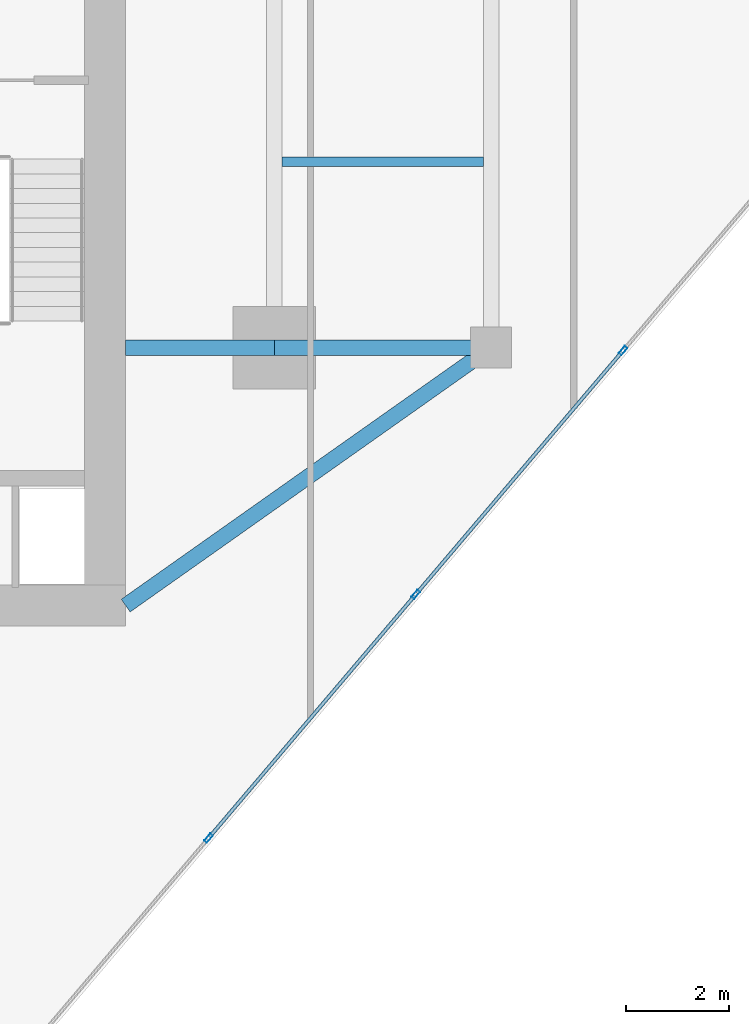
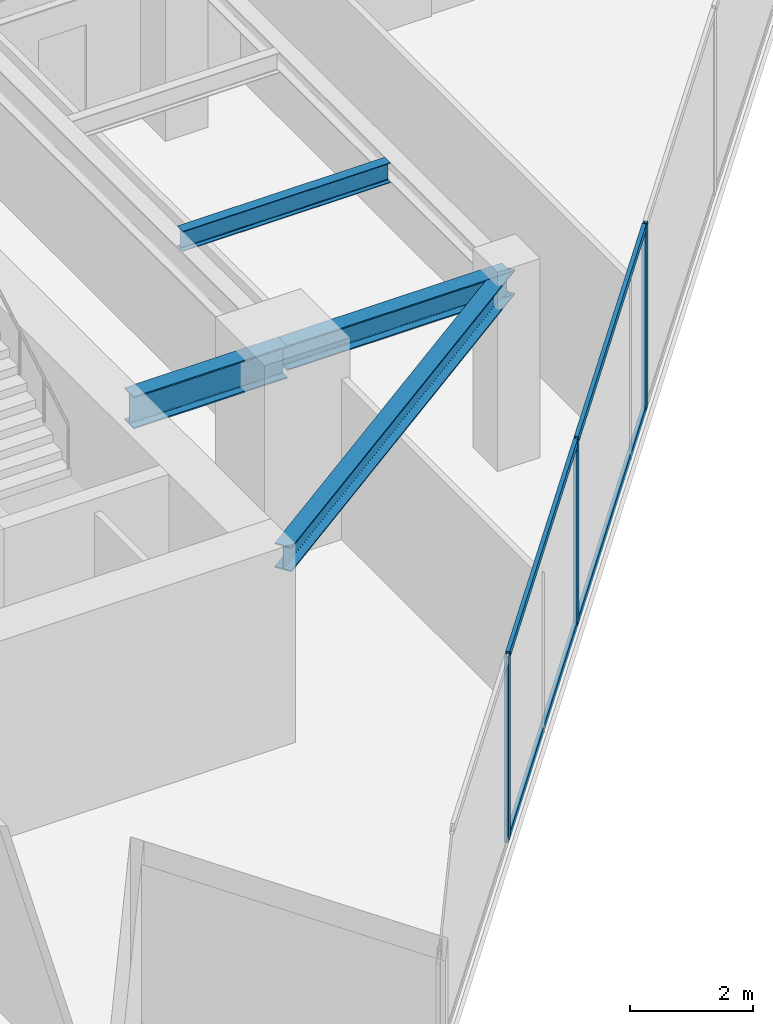
# One storey, part 10 of 26: 7 members, 4 beams, 1 element without a shape of its own.
"""IFC4 building model written with IfcOpenShell, lengths in metres."""

from ifc_helpers import new_model, si_unit, direction, frame, origin, origin_2d, place, context, subcontext, project, spatial, hollow_rectangle, i_section, extrude, source, transform, mapped, material, material_profile, profile_set, type_object, type_shapes, element, aggregate, save


model = new_model("IFC4")

# Units and contexts
model_context = context("Model", 3, precision=1e-05, world=origin(), true_north=direction((0.0, 1.0)))
body_context = subcontext(model_context, "Body", "Model", "MODEL_VIEW")
ifc_project = project(units=[si_unit("LENGTHUNIT", "METRE"), si_unit("AREAUNIT", "SQUARE_METRE"), si_unit("VOLUMEUNIT", "CUBIC_METRE"), si_unit("PLANEANGLEUNIT", "RADIAN"), si_unit("MASSUNIT", "GRAM", prefix="KILO")], contexts=[model_context])

# Site, building, storey
site_placement = place(None, origin())
site = spatial("IfcSite", under=ifc_project, at=site_placement, CompositionType="ELEMENT")
building_placement = place(site_placement, origin())
building = spatial("IfcBuilding", under=site, at=building_placement, Name="Krantzveldt Concourse Tower", CompositionType="ELEMENT")
storey_placement = place(building_placement, frame((0.0, 0.0, 207.300048828125)))
storey = spatial("IfcBuildingStorey", under=building, at=storey_placement, Name="L50", CompositionType="ELEMENT", Elevation=207.300048828125)

# Beams
ifc_material_1 = material(Name="Steel S355JR", Category="steel")
ifc_material_profile_1 = material_profile(ifc_material_1, i_section(OverallWidth=0.300048828125, OverallDepth=0.639892578125, WebThickness=0.013427734375, FlangeThickness=0.02587890625, FilletRadius=0.027099609375, at=origin_2d()), Name="Steel S355JR", Category="steel")
ifc_profile_set_1 = profile_set([ifc_material_profile_1], Name="Steel S355JR - HEA 650")
beam_type_1 = type_object("IfcBeamType", Name="BM-B-HEA650", PredefinedType="BEAM", material=ifc_profile_set_1)
shared_shape_1 = source(origin(), body_context, "Body", "SweptSolid", [
    extrude(i_section(OverallWidth=0.300048828125, OverallDepth=0.639892578125, WebThickness=0.013427734375, FlangeThickness=0.02587890625, FilletRadius=0.027099609375, at=origin_2d()), origin(), (0.0, 0.0, 1.0), 2.880126953125),
])
type_shapes(beam_type_1, [shared_shape_1])
beam_1_placement = place(storey_placement, frame((43.919921875, 15.89990234375, 3.349853515625), z_axis=(1.0, 0.0, 0.0), x_axis=(0.0, 1.0, 0.0)))
element("IfcBeam", 1, at=beam_1_placement, inside=storey, type_object=beam_type_1, Name="L50 Tower Girder BG-CE1", PredefinedType="BEAM", context=body_context, shape_type="MappedRepresentation", body=[
    mapped(shared_shape_1, transform((0.0, 0.0, 0.0), x_axis=(1.0, 0.0, 0.0), y_axis=(0.0, 1.0, 0.0), z_axis=(0.0, 0.0, 1.0), scale=1.0)),
])
ifc_material_profile_2 = material_profile(ifc_material_1, i_section(OverallWidth=0.300048828125, OverallDepth=0.489990234375, WebThickness=0.011962890625, FlangeThickness=0.02294921875, FilletRadius=0.027099609375, at=origin_2d()), Name="Steel S355JR", Category="steel")
ifc_profile_set_2 = profile_set([ifc_material_profile_2], Name="Steel S355JR - HEA 500")
beam_type_2 = type_object("IfcBeamType", Name="BM-B-HEA500", PredefinedType="BEAM", material=ifc_profile_set_2)
shared_shape_2 = source(origin(), body_context, "Body", "SweptSolid", [
    extrude(i_section(OverallWidth=0.300048828125, OverallDepth=0.489990234375, WebThickness=0.011962890625, FlangeThickness=0.02294921875, FilletRadius=0.027099609375, at=origin_2d()), origin(), (0.0, 0.0, 1.0), 4.199951171875),
])
beam_2_placement = place(storey_placement, frame((46.800048828125, 15.89990234375, 3.425048828125), z_axis=(1.0, 0.0, 0.0), x_axis=(0.0, 1.0, 0.0)))
element("IfcBeam", 2, at=beam_2_placement, inside=storey, type_object=beam_type_2, Name="L50 Tower Girder BR-RR1", PredefinedType="BEAM", context=body_context, shape_type="MappedRepresentation", body=[
    mapped(shared_shape_2, transform((0.0, 0.0, 0.0), x_axis=(1.0, 0.0, 0.0), y_axis=(0.0, 1.0, 0.0), z_axis=(0.0, 0.0, 1.0), scale=1.0)),
])
shared_shape_3 = source(origin(), body_context, "Body", "SweptSolid", [
    extrude(i_section(OverallWidth=0.300048828125, OverallDepth=0.489990234375, WebThickness=0.011962890625, FlangeThickness=0.02294921875, FilletRadius=0.027099609375, at=origin_2d()), origin(), (0.0, 0.0, 1.0), 8.667724609375),
])
type_shapes(beam_type_2, [shared_shape_2, shared_shape_3])
beam_3_placement = place(storey_placement, frame((51.0, 15.89990234375, 3.425048828125), z_axis=(-0.81684294656, -0.576860122261, 0.0), x_axis=(0.576860122261, -0.81684294656, 0.0)))
element("IfcBeam", 3, at=beam_3_placement, inside=storey, type_object=beam_type_2, Name="L50 Tower Girder BR-CSE", PredefinedType="BEAM", context=body_context, shape_type="MappedRepresentation", body=[
    mapped(shared_shape_3, transform((0.0, 0.0, 0.0), x_axis=(1.0, 0.0, 0.0), y_axis=(0.0, 1.0, 0.0), z_axis=(0.0, 0.0, 1.0), scale=1.0)),
])
ifc_material_profile_3 = material_profile(ifc_material_1, i_section(OverallWidth=0.179931640625, OverallDepth=0.39990234375, WebThickness=0.008544921875, FlangeThickness=0.013427734375, FilletRadius=0.02099609375, at=origin_2d()), Name="Steel S355JR", Category="steel")
ifc_profile_set_3 = profile_set([ifc_material_profile_3], Name="Steel S355JR - IPE 400")
beam_type_3 = type_object("IfcBeamType", Name="BM-J-IPE400", PredefinedType="JOIST", material=ifc_profile_set_3)
shared_shape_4 = source(origin(), body_context, "Body", "SweptSolid", [
    extrude(i_section(OverallWidth=0.179931640625, OverallDepth=0.39990234375, WebThickness=0.008544921875, FlangeThickness=0.013427734375, FilletRadius=0.02099609375, at=origin_2d()), origin(), (0.0, 0.0, 1.0), 3.900146484375),
])
type_shapes(beam_type_3, [shared_shape_4])
beam_4_placement = place(storey_placement, frame((46.949951171875, 19.5, 3.469970703125), z_axis=(1.0, 0.0, 0.0), x_axis=(0.0, 1.0, 0.0)))
element("IfcBeam", 4, at=beam_4_placement, inside=storey, type_object=beam_type_3, Name="L50 Secondary Floor Joist JE-1", PredefinedType="JOIST", context=body_context, shape_type="MappedRepresentation", body=[
    mapped(shared_shape_4, transform((0.0, 0.0, 0.0), x_axis=(1.0, 0.0, 0.0), y_axis=(0.0, 1.0, 0.0), z_axis=(0.0, 0.0, 1.0), scale=1.0)),
])

# Curtain wall, members
ifc_material_2 = material(Name="Anodised aluminium 6063-T6", Category="aluminium")
curtain_wall_type = type_object("IfcCurtainWallType", Name="CW3", PredefinedType="USERDEFINED", material=ifc_material_2)
curtain_wall_placement = place(storey_placement, origin())
curtain_wall = element("IfcCurtainWall", 5, at=curtain_wall_placement, inside=storey, type_object=curtain_wall_type, Name="CW-L50-F07", ObjectType="UNITISED CURTAIN WALL", PredefinedType="USERDEFINED")
ifc_material_profile_4 = material_profile(ifc_material_2, hollow_rectangle(XDim=0.070068359375, YDim=0.179931640625, WallThickness=0.0048828125, at=origin_2d()), Name="Anodised aluminium 6063-T6", Category="aluminium")
ifc_profile_set_4 = profile_set([ifc_material_profile_4], Name="Anodised aluminium 6063-T6 - ALU-MULL 180x70x5")
member_type_1 = type_object("IfcMemberType", Name="CW-MUL-180", PredefinedType="MULLION", material=ifc_profile_set_4)
shared_shape_5 = source(origin(), body_context, "Body", "SweptSolid", [
    extrude(hollow_rectangle(XDim=0.070068359375, YDim=0.179931640625, WallThickness=0.0048828125, at=origin_2d()), origin(), (0.0, 0.0, 1.0), 3.669921875),
])
type_shapes(member_type_1, [shared_shape_5])
member_1_placement = place(storey_placement, frame((45.5244140625, 6.393798828125, 0.0), z_axis=(0.0, 0.0, 1.0), x_axis=(-0.761820912327, 0.647787694805, 0.0)))
member_1 = element("IfcMember", 6, at=member_1_placement, type_object=member_type_1, Name="CW-Z34 mullion 2", PredefinedType="MULLION", context=body_context, shape_type="MappedRepresentation", body=[
    mapped(shared_shape_5, transform((0.0, 0.0, 0.0), x_axis=(1.0, 0.0, 0.0), y_axis=(0.0, 1.0, 0.0), z_axis=(0.0, 0.0, 1.0), scale=1.0)),
])
member_2_placement = place(storey_placement, frame((49.54052734375, 11.116943359375, 0.0), z_axis=(0.0, 0.0, 1.0), x_axis=(-0.761820912327, 0.647787694805, 0.0)))
member_2 = element("IfcMember", 7, at=member_2_placement, type_object=member_type_1, Name="CW-Z34 mullion 3", PredefinedType="MULLION", context=body_context, shape_type="MappedRepresentation", body=[
    mapped(shared_shape_5, transform((0.0, 0.0, 0.0), x_axis=(1.0, 0.0, 0.0), y_axis=(0.0, 1.0, 0.0), z_axis=(0.0, 0.0, 1.0), scale=1.0)),
])
member_3_placement = place(storey_placement, frame((53.556884765625, 15.84033203125, 0.0), z_axis=(0.0, 0.0, 1.0), x_axis=(-0.761820912327, 0.647787694805, 0.0)))
member_3 = element("IfcMember", 8, at=member_3_placement, type_object=member_type_1, Name="CW-Z34 mullion 4", PredefinedType="MULLION", context=body_context, shape_type="MappedRepresentation", body=[
    mapped(shared_shape_5, transform((0.0, 0.0, 0.0), x_axis=(1.0, 0.0, 0.0), y_axis=(0.0, 1.0, 0.0), z_axis=(0.0, 0.0, 1.0), scale=1.0)),
])
ifc_material_profile_5 = material_profile(ifc_material_2, hollow_rectangle(XDim=0.070068359375, YDim=0.139892578125, WallThickness=0.0048828125, at=origin_2d()), Name="Anodised aluminium 6063-T6", Category="aluminium")
ifc_profile_set_5 = profile_set([ifc_material_profile_5], Name="Anodised aluminium 6063-T6 - ALU-TRAN 140x70x5")
member_type_2 = type_object("IfcMemberType", Name="CW-TRN-150", PredefinedType="USERDEFINED", material=ifc_profile_set_5)
shared_shape_6 = source(origin(), body_context, "Body", "SweptSolid", [
    extrude(hollow_rectangle(XDim=0.070068359375, YDim=0.139892578125, WallThickness=0.0048828125, at=origin_2d()), origin(), (0.0, 0.0, 1.0), 6.130126953125),
])
member_4_placement = place(storey_placement, frame((49.563232421875, 11.1435546875, 0.034912109375), z_axis=(0.647772109575, 0.761834164406, 0.0), x_axis=(-0.761834164406, 0.647772109575, 0.0)))
member_4 = element("IfcMember", 9, at=member_4_placement, type_object=member_type_2, Name="CW-Z34 transom 3.1", ObjectType="TRANSOM", PredefinedType="USERDEFINED", context=body_context, shape_type="MappedRepresentation", body=[
    mapped(shared_shape_6, transform((0.0, 0.0, 0.0), x_axis=(1.0, 0.0, 0.0), y_axis=(0.0, 1.0, 0.0), z_axis=(0.0, 0.0, 1.0), scale=1.0)),
])
member_5_placement = place(storey_placement, frame((49.563232421875, 11.1435546875, 3.635009765625), z_axis=(0.647772109575, 0.761834164406, 0.0), x_axis=(-0.761834164406, 0.647772109575, 0.0)))
member_5 = element("IfcMember", 10, at=member_5_placement, type_object=member_type_2, Name="CW-Z34 transom 3.2", ObjectType="TRANSOM", PredefinedType="USERDEFINED", context=body_context, shape_type="MappedRepresentation", body=[
    mapped(shared_shape_6, transform((0.0, 0.0, 0.0), x_axis=(1.0, 0.0, 0.0), y_axis=(0.0, 1.0, 0.0), z_axis=(0.0, 0.0, 1.0), scale=1.0)),
])
shared_shape_7 = source(origin(), body_context, "Body", "SweptSolid", [
    extrude(hollow_rectangle(XDim=0.070068359375, YDim=0.139892578125, WallThickness=0.0048828125, at=origin_2d()), origin(), (0.0, 0.0, 1.0), 6.1298828125),
])
type_shapes(member_type_2, [shared_shape_6, shared_shape_7])
member_6_placement = place(storey_placement, frame((45.547119140625, 6.42041015625, 0.034912109375), z_axis=(0.647791763952, 0.761817452252, 0.0), x_axis=(-0.761817452252, 0.647791763952, 0.0)))
member_6 = element("IfcMember", 11, at=member_6_placement, type_object=member_type_2, Name="CW-Z34 transom 2.1", ObjectType="TRANSOM", PredefinedType="USERDEFINED", context=body_context, shape_type="MappedRepresentation", body=[
    mapped(shared_shape_7, transform((0.0, 0.0, 0.0), x_axis=(1.0, 0.0, 0.0), y_axis=(0.0, 1.0, 0.0), z_axis=(0.0, 0.0, 1.0), scale=1.0)),
])
member_7_placement = place(storey_placement, frame((45.547119140625, 6.42041015625, 3.635009765625), z_axis=(0.647791763952, 0.761817452252, 0.0), x_axis=(-0.761817452252, 0.647791763952, 0.0)))
member_7 = element("IfcMember", 12, at=member_7_placement, type_object=member_type_2, Name="CW-Z34 transom 2.2", ObjectType="TRANSOM", PredefinedType="USERDEFINED", context=body_context, shape_type="MappedRepresentation", body=[
    mapped(shared_shape_7, transform((0.0, 0.0, 0.0), x_axis=(1.0, 0.0, 0.0), y_axis=(0.0, 1.0, 0.0), z_axis=(0.0, 0.0, 1.0), scale=1.0)),
])
aggregate(curtain_wall, [member_1, member_2, member_3, member_6, member_7, member_4, member_5])

save(model, "model.ifc")
